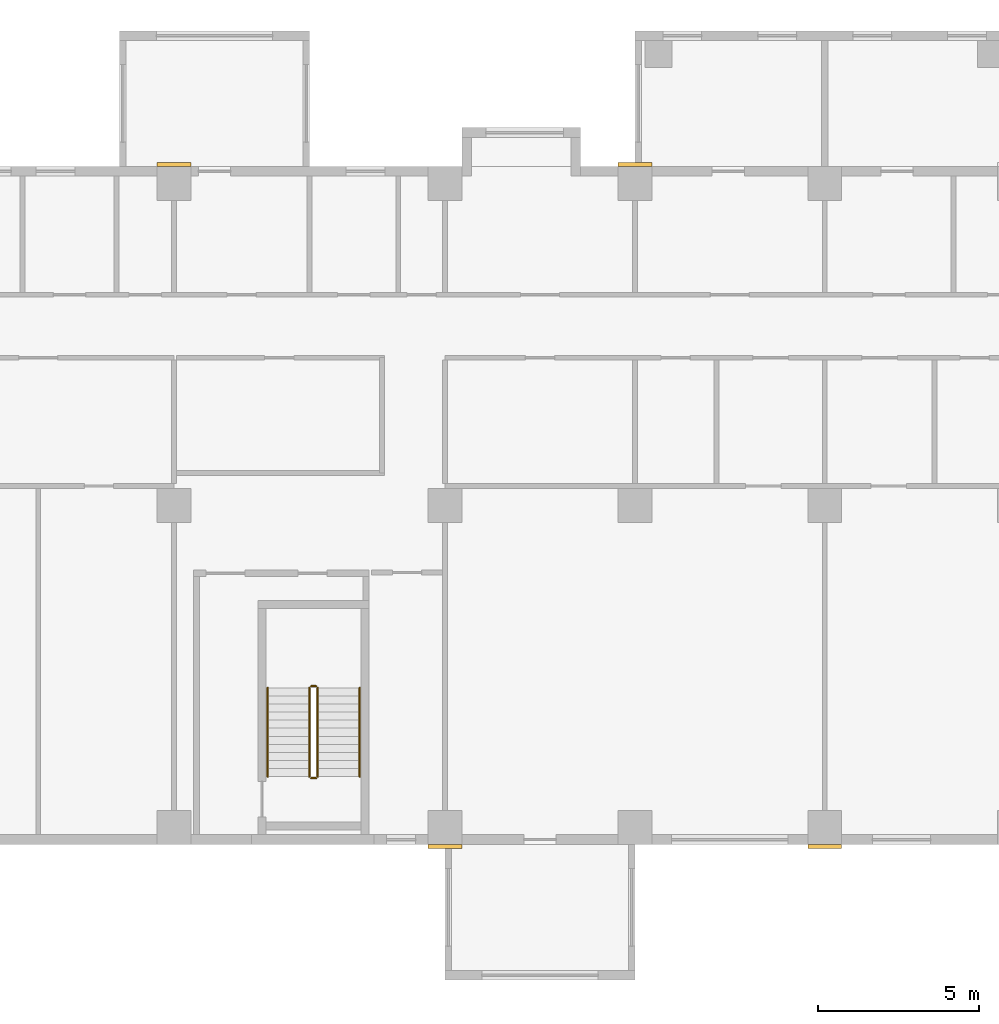
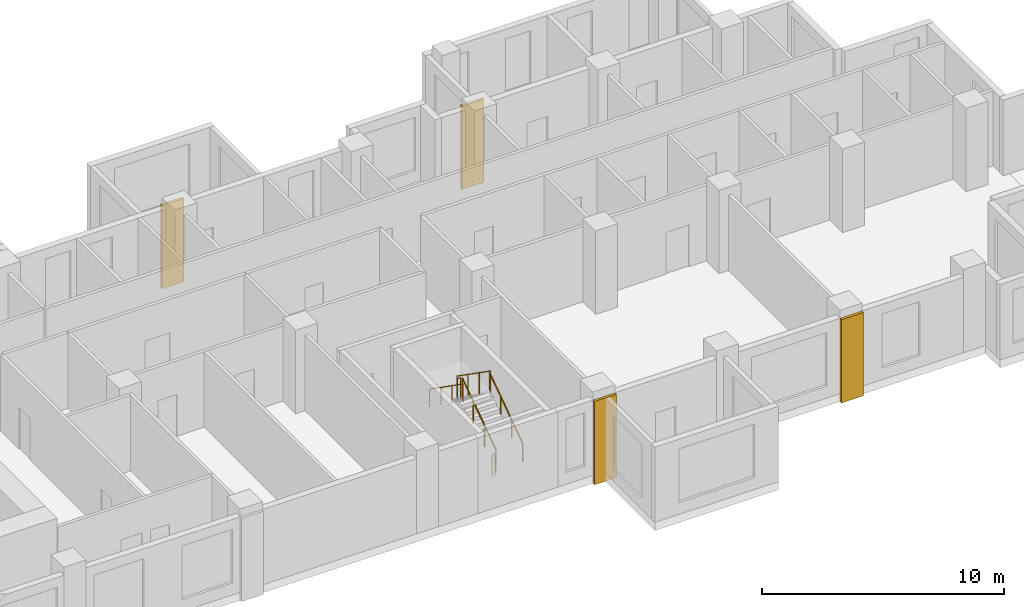
# One storey, part 13 of 15: 6 railings, 4 coverings.
"""IFC4 building model written with IfcOpenShell, lengths in metres."""

from ifc_helpers import new_model, si_unit, direction, frame, origin, origin_2d, place, context, subcontext, project, spatial, rectangle, circle, extrude, source, transform, mapped, material, type_object, element, save


model = new_model("IFC4")

# Units and contexts
model_context = context("Model", 3, precision=1e-05, world=origin(), true_north=direction((0.0, 1.0)))
body_context = subcontext(model_context, "Body", "Model", "MODEL_VIEW")
ifc_project = project(units=[si_unit("LENGTHUNIT", "METRE"), si_unit("AREAUNIT", "SQUARE_METRE"), si_unit("VOLUMEUNIT", "CUBIC_METRE"), si_unit("PLANEANGLEUNIT", "RADIAN"), si_unit("MASSUNIT", "GRAM", prefix="KILO")], contexts=[model_context])

# Site, building, storey
site_placement = place(None, origin())
site = spatial("IfcSite", under=ifc_project, at=site_placement, CompositionType="ELEMENT")
building_placement = place(site_placement, origin())
building = spatial("IfcBuilding", under=site, at=building_placement, Name="Aurelian Terraces", CompositionType="ELEMENT")
storey_placement = place(building_placement, frame((0.0, 0.0, 120.3)))
storey = spatial("IfcBuildingStorey", under=building, at=storey_placement, Name="L26", CompositionType="ELEMENT", Elevation=120.3)

# Coverings
ifc_material_1 = material(Name="Terracotta rainscreen cladding relief", Category="masonry")
covering_type = type_object("IfcCoveringType", Name="BAGUETTE-TC", PredefinedType="CLADDING", material=ifc_material_1)
shared_shape_1 = source(origin(), body_context, "Body", "SweptSolid", [
    extrude(rectangle(XDim=1.05, YDim=0.12, at=origin_2d()), origin(), (0.0, 0.0, 1.0), 4.2),
])
for number, where, z_axis, x_axis, name in (
    (1, (46.2, -0.06, -0.4), (0.0, 0.0, 1.0), (1.0, 0.0, 0.0), "BAGUETTE pier L26 3"),
    (2, (57.96, -0.06, -0.4), (0.0, 0.0, 1.0), (1.0, 0.0, 0.0), "BAGUETTE pier L26 4"),
    (3, (37.8, 21.06, -0.4), (0.0, 0.0, 1.0), (1.0, 0.0, 0.0), "BAGUETTE pier L26 7"),
    (4, (52.08, 21.06, -0.4), (0.0, 0.0, 1.0), (1.0, 0.0, 0.0), "BAGUETTE pier L26 8"),
):
    element("IfcCovering", number, at=place(storey_placement, frame(where, z_axis=z_axis, x_axis=x_axis)), inside=storey, type_object=covering_type, Name=name, PredefinedType="CLADDING", context=body_context, shape_type="MappedRepresentation", body=[
        mapped(shared_shape_1, transform((0.0, 0.0, 0.0), scale=1.0)),
    ])

# Railings
ifc_material_2 = material(Name="Stainless steel", Category="steel")
railing_type_1 = type_object("IfcRailingType", Name="Stair guard 1100", PredefinedType="GUARDRAIL", material=ifc_material_2)
shared_shape_2 = source(origin(), body_context, "Body", "SweptSolid", [
    extrude(circle(Radius=0.024, at=origin_2d()), frame((0.0, 0.0, 1.076), z_axis=(-1.0, 0.0, 0.0), x_axis=(0.0, -1.0, 0.0)), (0.0, 0.0, 1.0), 0.15),
    extrude(circle(Radius=0.021, at=origin_2d()), origin(), (0.0, 0.0, 1.0), 1.052),
    extrude(circle(Radius=0.021, at=origin_2d()), frame((-0.15, 0.0, 0.0)), (0.0, 0.0, 1.0), 1.052),
])
for number, where, name in (
    (5, (42.2, 4.9, 2.1), "L26 S2 stair guard 2"),
    (6, (42.2, 2.05, 0.0), "L26 S2 stair guard 4"),
):
    element("IfcRailing", number, at=place(storey_placement, frame(where)), inside=storey, type_object=railing_type_1, Name=name, PredefinedType="GUARDRAIL", context=body_context, shape_type="MappedRepresentation", body=[
        mapped(shared_shape_2, transform((0.0, 0.0, 0.0), scale=1.0)),
    ])
shared_shape_3 = source(origin(), body_context, "Body", "SweptSolid", [
    extrude(circle(Radius=0.024, at=origin_2d()), frame((0.0, 0.0, 1.076), z_axis=(0.0, 0.819231920519, 0.573462344363), x_axis=(-1.0, 0.0, 0.0)), (0.0, 0.0, 1.0), 3.3568),
    extrude(circle(Radius=0.021, at=origin_2d()), origin(), (0.0, 0.0, 1.0), 1.052),
    extrude(circle(Radius=0.021, at=origin_2d()), frame((0.0, 0.9167, 0.6417)), (0.0, 0.0, 1.0), 1.052),
    extrude(circle(Radius=0.021, at=origin_2d()), frame((0.0, 1.8333, 1.2833)), (0.0, 0.0, 1.0), 1.052),
    extrude(circle(Radius=0.021, at=origin_2d()), frame((0.0, 2.75, 1.925)), (0.0, 0.0, 1.0), 1.052),
])
railing_1_placement = place(storey_placement, frame((42.25, 2.1, 0.175)))
element("IfcRailing", 7, at=railing_1_placement, inside=storey, type_object=railing_type_1, Name="L26 S2 stair guard 1", PredefinedType="GUARDRAIL", context=body_context, shape_type="MappedRepresentation", body=[
    mapped(shared_shape_3, transform((0.0, 0.0, 0.0), scale=1.0)),
])
shared_shape_4 = source(origin(), body_context, "Body", "SweptSolid", [
    extrude(circle(Radius=0.024, at=origin_2d()), frame((0.0, 0.0, 1.076), z_axis=(0.0, -0.819231920519, 0.573462344363), x_axis=(1.0, 0.0, 0.0)), (0.0, 0.0, 1.0), 3.3568),
    extrude(circle(Radius=0.021, at=origin_2d()), origin(), (0.0, 0.0, 1.0), 1.052),
    extrude(circle(Radius=0.021, at=origin_2d()), frame((0.0, -0.9167, 0.6417)), (0.0, 0.0, 1.0), 1.052),
    extrude(circle(Radius=0.021, at=origin_2d()), frame((0.0, -1.8333, 1.2833)), (0.0, 0.0, 1.0), 1.052),
    extrude(circle(Radius=0.021, at=origin_2d()), frame((0.0, -2.75, 1.925)), (0.0, 0.0, 1.0), 1.052),
])
railing_2_placement = place(storey_placement, frame((42.0, 4.85, 2.275)))
element("IfcRailing", 8, at=railing_2_placement, inside=storey, type_object=railing_type_1, Name="L26 S2 stair guard 3", PredefinedType="GUARDRAIL", context=body_context, shape_type="MappedRepresentation", body=[
    mapped(shared_shape_4, transform((0.0, 0.0, 0.0), scale=1.0)),
])
railing_type_2 = type_object("IfcRailingType", Name="Stair handrail", PredefinedType="HANDRAIL", material=ifc_material_2)
shared_shape_5 = source(origin(), body_context, "Body", "SweptSolid", [
    extrude(circle(Radius=0.024, at=origin_2d()), frame((0.0, 0.0, 0.876), z_axis=(0.0, 0.819231920519, 0.573462344363), x_axis=(-1.0, 0.0, 0.0)), (0.0, 0.0, 1.0), 3.3568),
    extrude(circle(Radius=0.021, at=origin_2d()), origin(), (0.0, 0.0, 1.0), 0.852),
    extrude(circle(Radius=0.021, at=origin_2d()), frame((0.0, 0.9167, 0.6417)), (0.0, 0.0, 1.0), 0.852),
    extrude(circle(Radius=0.021, at=origin_2d()), frame((0.0, 1.8333, 1.2833)), (0.0, 0.0, 1.0), 0.852),
    extrude(circle(Radius=0.021, at=origin_2d()), frame((0.0, 2.75, 1.925)), (0.0, 0.0, 1.0), 0.852),
])
railing_3_placement = place(storey_placement, frame((43.55, 2.1, 0.175)))
element("IfcRailing", 9, at=railing_3_placement, inside=storey, type_object=railing_type_2, Name="L26 S2 stair handrail 1", PredefinedType="HANDRAIL", context=body_context, shape_type="MappedRepresentation", body=[
    mapped(shared_shape_5, transform((0.0, 0.0, 0.0), scale=1.0)),
])
shared_shape_6 = source(origin(), body_context, "Body", "SweptSolid", [
    extrude(circle(Radius=0.024, at=origin_2d()), frame((0.0, 0.0, 0.876), z_axis=(0.0, -0.819231920519, 0.573462344363), x_axis=(1.0, 0.0, 0.0)), (0.0, 0.0, 1.0), 3.3568),
    extrude(circle(Radius=0.021, at=origin_2d()), origin(), (0.0, 0.0, 1.0), 0.852),
    extrude(circle(Radius=0.021, at=origin_2d()), frame((0.0, -0.9167, 0.6417)), (0.0, 0.0, 1.0), 0.852),
    extrude(circle(Radius=0.021, at=origin_2d()), frame((0.0, -1.8333, 1.2833)), (0.0, 0.0, 1.0), 0.852),
    extrude(circle(Radius=0.021, at=origin_2d()), frame((0.0, -2.75, 1.925)), (0.0, 0.0, 1.0), 0.852),
])
railing_4_placement = place(storey_placement, frame((40.7, 4.85, 2.275)))
element("IfcRailing", 10, at=railing_4_placement, inside=storey, type_object=railing_type_2, Name="L26 S2 stair handrail 2", PredefinedType="HANDRAIL", context=body_context, shape_type="MappedRepresentation", body=[
    mapped(shared_shape_6, transform((0.0, 0.0, 0.0), scale=1.0)),
])

save(model, "model.ifc")
